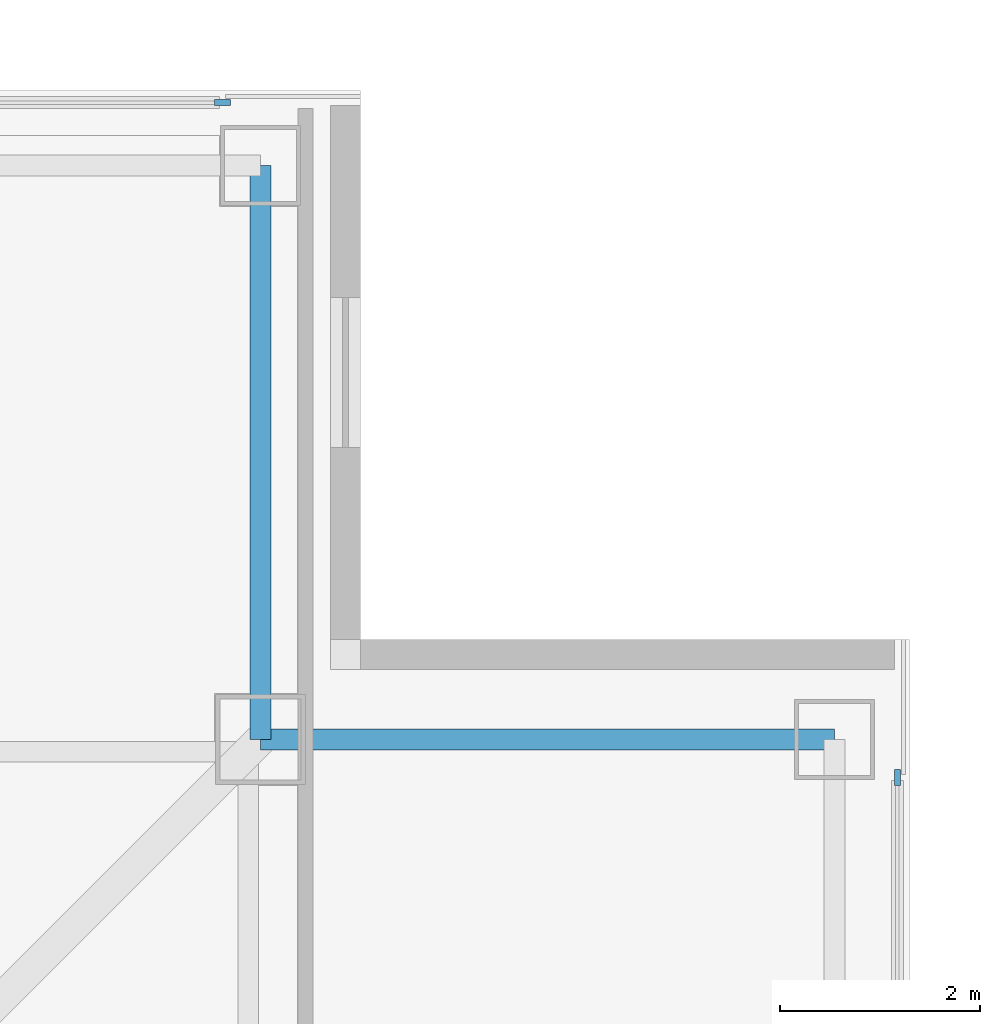
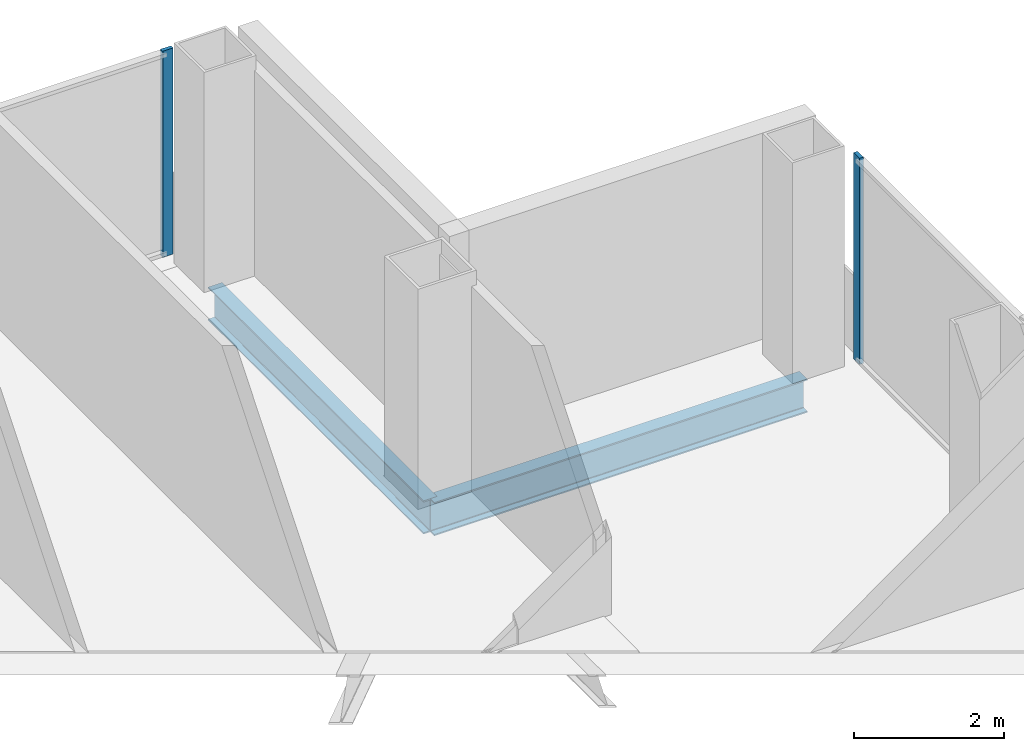
# One storey, part 9 of 18: 2 beams, 2 members, 2 elements without a shape of their own.
"""IFC4 building model written with IfcOpenShell, lengths in metres."""

from ifc_helpers import new_model, si_unit, direction, frame, origin, origin_2d, place, context, subcontext, project, spatial, rectangle, i_section, extrude, material, layer, layer_set, material_profile, profile_set, type_object, element, aggregate, save


model = new_model("IFC4")

# Units and contexts
model_context = context("Model", 3, precision=1e-05, world=origin(), true_north=direction((0.0, 1.0)))
body_context = subcontext(model_context, "Body", "Model", "MODEL_VIEW")
ifc_project = project(units=[si_unit("LENGTHUNIT", "METRE"), si_unit("AREAUNIT", "SQUARE_METRE"), si_unit("VOLUMEUNIT", "CUBIC_METRE"), si_unit("PLANEANGLEUNIT", "RADIAN"), si_unit("MASSUNIT", "GRAM", prefix="KILO")], contexts=[model_context])

# Site, building, storey
site_placement = place(None, origin())
site = spatial("IfcSite", under=ifc_project, at=site_placement, CompositionType="ELEMENT")
building_placement = place(site_placement, origin())
building = spatial("IfcBuilding", under=site, at=building_placement, Name="Trevonay Congress Spire", CompositionType="ELEMENT")
storey_placement = place(building_placement, frame((0.0, 0.0, 173.39990234375)))
storey = spatial("IfcBuildingStorey", under=building, at=storey_placement, Name="L44", CompositionType="ELEMENT", Elevation=173.39990234375)

# Beams
ifc_material_1 = material(Name="Steel ASTM A572 Grade 50", Category="steel")
ifc_material_profile_1 = material_profile(ifc_material_1, i_section(OverallWidth=0.2119140625, OverallDepth=0.5439453125, WebThickness=0.01318359375, FlangeThickness=0.021240234375, FilletRadius=0.014892578125, at=origin_2d()), Name="W530x123")
ifc_profile_set_1 = profile_set([ifc_material_profile_1], Name="Steel ASTM A572 Grade 50")
beam_type = type_object("IfcBeamType", Name="BM-RING-W530X123", PredefinedType="BEAM", material=ifc_profile_set_1)
for number, where, z_axis, x_axis, name in (
    (1, (13.5, 19.25, -0.511962890625), (0.0, -1.0, 0.0), (1.0, 0.0, 0.0), "L44 structural beam BM-L44-N1NE"),
    (2, (19.25, 13.5, -0.511962890625), (-1.0, 0.0, 0.0), (0.0, -1.0, 0.0), "L44 structural beam BM-L44-N2NE"),
):
    element("IfcBeam", number, at=place(storey_placement, frame(where, z_axis=z_axis, x_axis=x_axis)), inside=storey, type_object=beam_type, Name=name, PredefinedType="BEAM", context=body_context, shape_type="SweptSolid", body=[
        extrude(i_section(OverallWidth=0.2119140625, OverallDepth=0.5439453125, WebThickness=0.01318359375, FlangeThickness=0.021240234375, FilletRadius=0.014892578125, at=origin_2d()), origin(), (0.0, 0.0, 1.0), 5.75),
    ])

# Curtain wall, member
ifc_material_2 = material(Name="Pale Anodised Aluminium EN AW-6063-T6", Category="aluminium")
ifc_layer = layer(ifc_material_2, 0.169921875, Name="Pale Anodised Aluminium EN AW-6063-T6")
ifc_layer_set = layer_set([ifc_layer], Name="Pale Anodised Aluminium EN AW-6063-T6")
curtain_wall_type = type_object("IfcCurtainWallType", Name="CW-SYS04-CORP-PALE-METAL", PredefinedType="NOTDEFINED", material=ifc_layer_set)
curtain_wall_1_placement = place(storey_placement, origin())
curtain_wall_1 = element("IfcCurtainWall", 3, at=curtain_wall_1_placement, inside=storey, type_object=curtain_wall_type, Name="L44 N unitised curtain wall", PredefinedType="NOTDEFINED")
ifc_material_profile_2 = material_profile(ifc_material_2, rectangle(XDim=0.06005859375, YDim=0.159912109375, at=origin_2d()), Name="CW-MULLION-160-ALUMINIUM")
ifc_profile_set_2 = profile_set([ifc_material_profile_2], Name="Pale Anodised Aluminium EN AW-6063-T6")
member_type = type_object("IfcMemberType", Name="CW-MULLION-160-ALUMINIUM", PredefinedType="MULLION", material=ifc_profile_set_2)
member_1_placement = place(storey_placement, frame((13.1201171875, 19.8798828125, 0.0), z_axis=(0.0, 0.0, 1.0), x_axis=(0.0, 1.0, 0.0)))
member_1 = element("IfcMember", 4, at=member_1_placement, type_object=member_type, Name="CW04 mullion 6", PredefinedType="MULLION", context=body_context, shape_type="SweptSolid", body=[
    extrude(rectangle(XDim=0.06005859375, YDim=0.159912109375, at=origin_2d()), origin(), (0.0, 0.0, 1.0), 3.360107421875),
])
aggregate(curtain_wall_1, [member_1])

curtain_wall_2_placement = place(storey_placement, origin())
curtain_wall_2 = element("IfcCurtainWall", 5, at=curtain_wall_2_placement, inside=storey, type_object=curtain_wall_type, Name="L44 E unitised curtain wall", PredefinedType="NOTDEFINED")
member_2_placement = place(storey_placement, frame((19.8798828125, 13.1201171875, 0.0), z_axis=(0.0, 0.0, 1.0), x_axis=(-1.0, 0.0, 0.0)))
member_2 = element("IfcMember", 6, at=member_2_placement, type_object=member_type, Name="CW04 mullion 6", PredefinedType="MULLION", context=body_context, shape_type="SweptSolid", body=[
    extrude(rectangle(XDim=0.06005859375, YDim=0.159912109375, at=origin_2d()), origin(), (0.0, 0.0, 1.0), 3.360107421875),
])
aggregate(curtain_wall_2, [member_2])

save(model, "model.ifc")
